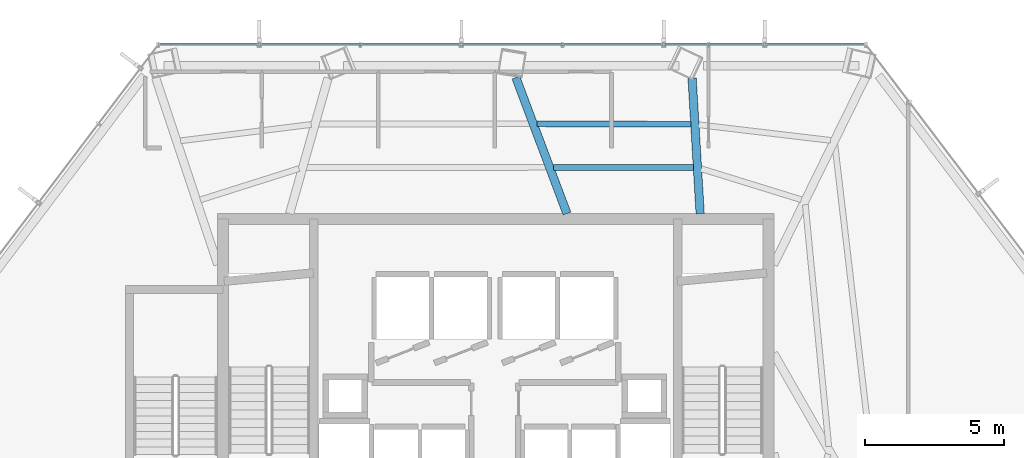
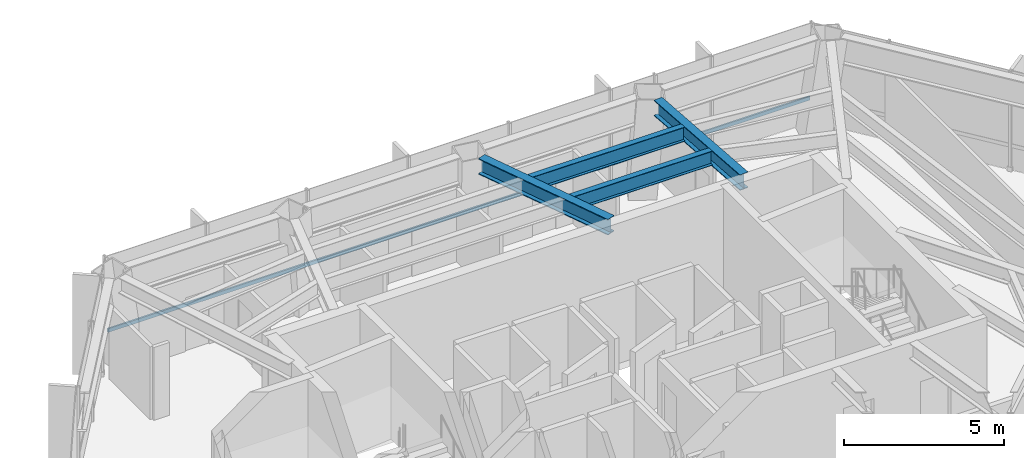
# One storey, part 15 of 27: 4 beams, 1 member, 1 element without a shape of its own.
"""IFC4 building model written with IfcOpenShell, lengths in metres."""

from ifc_helpers import new_model, si_unit, direction, frame, origin, origin_2d, place, context, subcontext, project, spatial, hollow_rectangle, i_section, extrude, material, layer, layer_set, material_profile, profile_set, type_object, element, aggregate, save


model = new_model("IFC4")

# Units and contexts
model_context = context("Model", 3, precision=1e-05, world=origin(), true_north=direction((0.0, 1.0)))
body_context = subcontext(model_context, "Body", "Model", "MODEL_VIEW")
ifc_project = project(units=[si_unit("LENGTHUNIT", "METRE"), si_unit("AREAUNIT", "SQUARE_METRE"), si_unit("VOLUMEUNIT", "CUBIC_METRE"), si_unit("PLANEANGLEUNIT", "RADIAN"), si_unit("MASSUNIT", "GRAM", prefix="KILO")], contexts=[model_context])

# Site, building, storey
site_placement = place(None, origin())
site = spatial("IfcSite", under=ifc_project, at=site_placement, CompositionType="ELEMENT")
building_placement = place(site_placement, origin())
building = spatial("IfcBuilding", under=site, at=building_placement, Name="Zarrinselat Tower", CompositionType="ELEMENT")
storey_placement = place(building_placement, frame((0.0, 0.0, 80.580078125)))
storey = spatial("IfcBuildingStorey", under=building, at=storey_placement, Name="L19", CompositionType="ELEMENT", Elevation=80.580078125)

# Beams
ifc_material_1 = material(Name="Steel S355J2", Category="steel")
ifc_material_profile_1 = material_profile(ifc_material_1, i_section(OverallWidth=0.300048828125, OverallDepth=0.60009765625, WebThickness=0.015380859375, FlangeThickness=0.030029296875, at=origin_2d()), Name="HEB 600")
ifc_profile_set_1 = profile_set([ifc_material_profile_1], Name="Steel S355J2")
beam_type_1 = type_object("IfcBeamType", Name="BM-HEB600", PredefinedType="BEAM", material=ifc_profile_set_1)
beam_1_placement = place(storey_placement, frame((45.510009765625, 48.515380859375, 3.52001953125), z_axis=(0.059384247152, -0.998235198333, 0.0), x_axis=(0.998235198333, 0.059384247152, 0.0)))
element("IfcBeam", 1, at=beam_1_placement, inside=storey, type_object=beam_type_1, Name="L19 Radial Primary Girder RG02", PredefinedType="BEAM", context=body_context, shape_type="SweptSolid", body=[
    extrude(i_section(OverallWidth=0.300048828125, OverallDepth=0.60009765625, WebThickness=0.015380859375, FlangeThickness=0.030029296875, at=origin_2d()), origin(), (0.0, 0.0, 1.0), 4.884033203125),
])
beam_2_placement = place(storey_placement, frame((39.156982421875, 48.543701171875, 3.52001953125), z_axis=(0.351807712904, -0.936072290553, 0.0), x_axis=(0.936072290553, 0.351807712904, 0.0)))
element("IfcBeam", 2, at=beam_2_placement, inside=storey, type_object=beam_type_1, Name="L19 Radial Primary Girder RG03", PredefinedType="BEAM", context=body_context, shape_type="SweptSolid", body=[
    extrude(i_section(OverallWidth=0.300048828125, OverallDepth=0.60009765625, WebThickness=0.015380859375, FlangeThickness=0.030029296875, at=origin_2d()), origin(), (0.0, 0.0, 1.0), 5.23876953125),
])
ifc_material_2 = material(Name="Steel S355J2", Category="steel")
ifc_material_profile_2 = material_profile(ifc_material_2, i_section(OverallWidth=0.2099609375, OverallDepth=0.550048828125, WebThickness=0.010986328125, FlangeThickness=0.01708984375, at=origin_2d()), Name="IPE 550")
ifc_profile_set_2 = profile_set([ifc_material_profile_2], Name="Steel S355J2")
beam_type_2 = type_object("IfcBeamType", Name="BM-IPE550", PredefinedType="JOIST", material=ifc_profile_set_2)
beam_3_placement = place(storey_placement, frame((39.923583984375, 46.8759765625, 3.544921875), z_axis=(0.999994975175, -0.003170114398, 0.0), x_axis=(0.003170114398, 0.999994975175, 0.0)))
element("IfcBeam", 3, at=beam_3_placement, inside=storey, type_object=beam_type_2, Name="L19 Composite Floor Joist 7-1", PredefinedType="JOIST", context=body_context, shape_type="SweptSolid", body=[
    extrude(i_section(OverallWidth=0.2099609375, OverallDepth=0.550048828125, WebThickness=0.010986328125, FlangeThickness=0.01708984375, at=origin_2d()), origin(), (0.0, 0.0, 1.0), 5.544921875),
])
beam_4_placement = place(storey_placement, frame((40.513427734375, 45.306884765625, 3.544921875), z_axis=(0.999998398823, -0.001789511548, 0.0), x_axis=(0.001789511548, 0.999998398823, 0.0)))
element("IfcBeam", 4, at=beam_4_placement, inside=storey, type_object=beam_type_2, Name="L19 Composite Floor Joist 7-2", PredefinedType="JOIST", context=body_context, shape_type="SweptSolid", body=[
    extrude(i_section(OverallWidth=0.2099609375, OverallDepth=0.550048828125, WebThickness=0.010986328125, FlangeThickness=0.01708984375, at=origin_2d()), origin(), (0.0, 0.0, 1.0), 5.0478515625),
])

# Curtain wall, member
ifc_material_3 = material(Name="Extruded Aluminium Alloy EN AW-6063 T6", Category="aluminium")
ifc_layer = layer(ifc_material_3, 0.18505859375)
ifc_layer_set = layer_set([ifc_layer], Name="Extruded Aluminium Alloy EN AW-6063 T6")
curtain_wall_type = type_object("IfcCurtainWallType", Name="CWS-OFF", PredefinedType="NOTDEFINED", material=ifc_layer_set)
curtain_wall_placement = place(storey_placement, origin())
curtain_wall = element("IfcCurtainWall", 5, at=curtain_wall_placement, inside=storey, type_object=curtain_wall_type, Name="L19 Unitised Curtain Wall CW-L19-E01", PredefinedType="NOTDEFINED")
ifc_material_4 = material(Name="Extruded Aluminium Alloy EN AW-6063 T6", Category="aluminium")
ifc_material_profile_3 = material_profile(ifc_material_4, hollow_rectangle(XDim=0.06005859375, YDim=0.139892578125, WallThickness=0.00390625, at=origin_2d()), Name="RHS 140x60x4")
ifc_profile_set_3 = profile_set([ifc_material_profile_3], Name="Extruded Aluminium Alloy EN AW-6063 T6")
member_type = type_object("IfcMemberType", Name="MEM-CW-TRN", PredefinedType="USERDEFINED", material=ifc_profile_set_3)
member_placement = place(storey_placement, frame((51.686279296875, 49.7333984375, 0.949951171875), z_axis=(-1.0, 0.0, 0.0), x_axis=(0.0, -1.0, 0.0)))
member = element("IfcMember", 6, at=member_placement, type_object=member_type, Name="CW-L19-E01 Transom 1", ObjectType="TRANSOM", PredefinedType="USERDEFINED", context=body_context, shape_type="SweptSolid", body=[
    extrude(hollow_rectangle(XDim=0.06005859375, YDim=0.139892578125, WallThickness=0.00390625, at=origin_2d()), origin(), (0.0, 0.0, 1.0), 25.338134765625),
])
aggregate(curtain_wall, [member])

save(model, "model.ifc")
